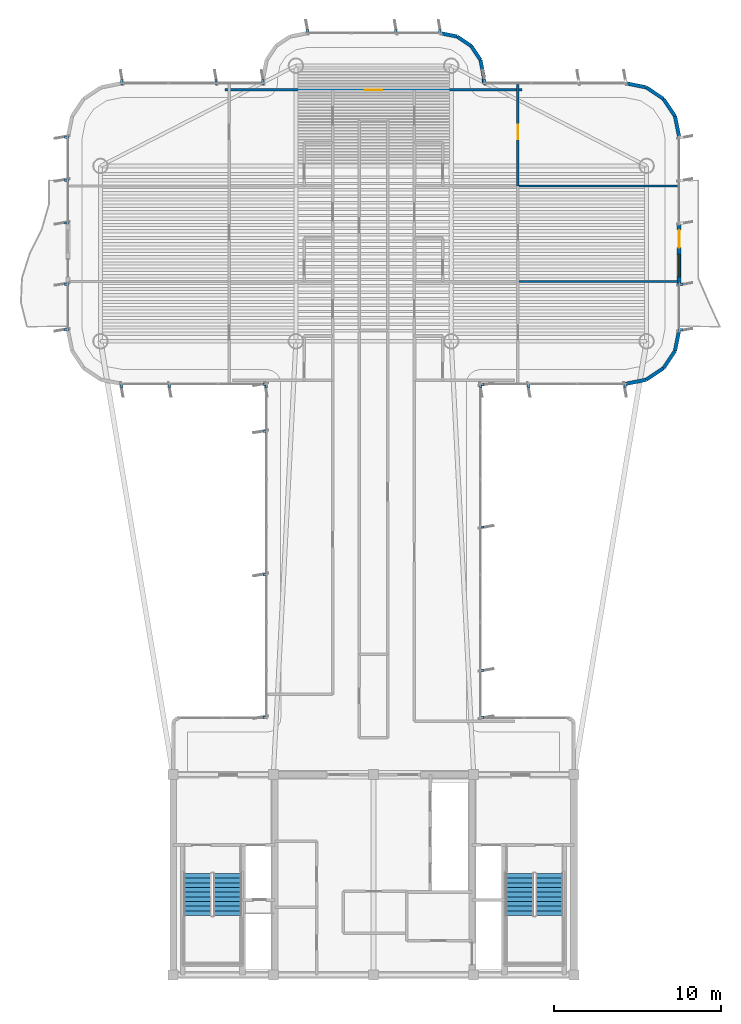
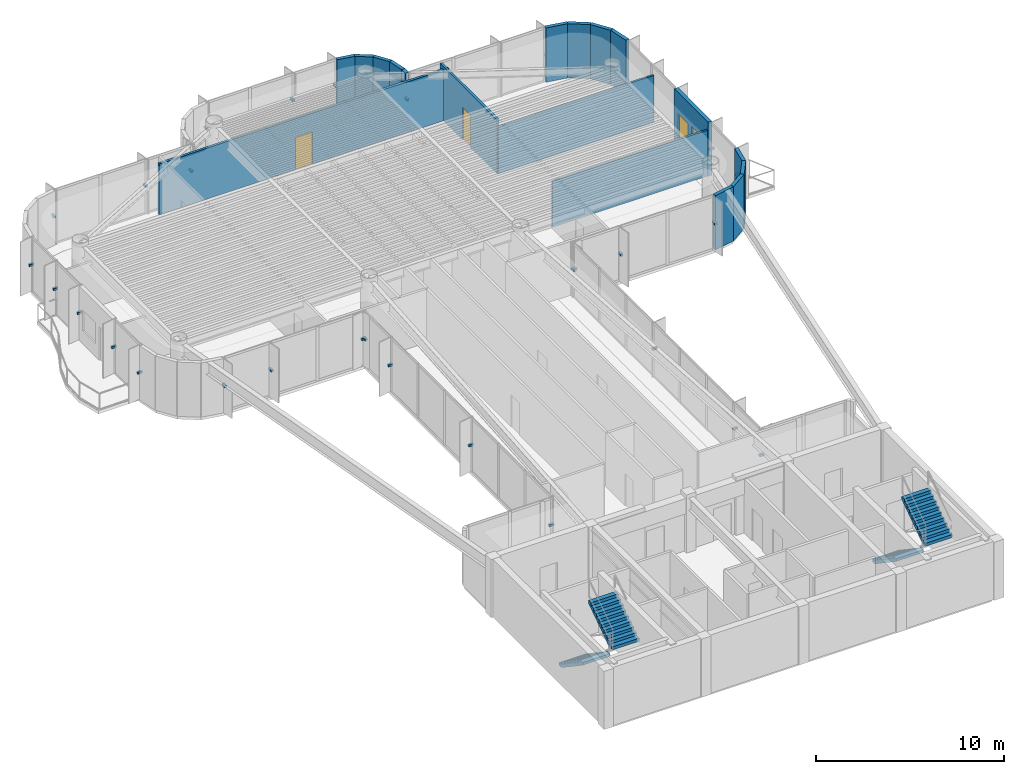
# One storey, part 13 of 16: 28 discrete accessories, 18 walls, 4 stair flights, 3 doors, 1 window, 4 openings, 2 elements without a shape of their own.
"""IFC4 building model written with IfcOpenShell, lengths in metres."""

from ifc_helpers import new_model, si_unit, direction, frame, frame_2d, origin, origin_2d, place, context, subcontext, project, spatial, polyline, rectangle, outline, extrude, source, transform, mapped, material, layer, layer_set, type_object, element, fill, aggregate, save


model = new_model("IFC4")

# Units and contexts
model_context = context("Model", 3, precision=1e-05, world=origin(), true_north=direction((0.0, 1.0)))
body_context = subcontext(model_context, "Body", "Model", "MODEL_VIEW")
ifc_project = project(units=[si_unit("LENGTHUNIT", "METRE"), si_unit("AREAUNIT", "SQUARE_METRE"), si_unit("VOLUMEUNIT", "CUBIC_METRE"), si_unit("PLANEANGLEUNIT", "RADIAN"), si_unit("MASSUNIT", "GRAM", prefix="KILO")], contexts=[model_context])

# Site, building, storey
site_placement = place(None, origin())
site = spatial("IfcSite", under=ifc_project, at=site_placement, CompositionType="ELEMENT")
building_placement = place(site_placement, origin())
building = spatial("IfcBuilding", under=site, at=building_placement, Name="Brelvock Crest Care Tower", CompositionType="ELEMENT")
storey_placement = place(building_placement, frame((0.0, 0.0, 238.139892578125)))
storey = spatial("IfcBuildingStorey", under=building, at=storey_placement, Name="L60", CompositionType="ELEMENT", Elevation=238.139892578125)

# Wall, openings, door, window
ifc_material_1 = material(Name="Precast concrete N40 (40 MPa)", Category="concrete")
ifc_layer_1 = layer(ifc_material_1, 0.239990234375, Name="WL-EX1")
ifc_layer_set_1 = layer_set([ifc_layer_1], Name="Precast concrete N40 (40 MPa)")
wall_type_1 = type_object("IfcWallType", Name="WL-EX1", PredefinedType="SOLIDWALL", material=ifc_layer_set_1)
wall_1_placement = place(storey_placement, frame((54.300048828125, 51.0, 0.0), z_axis=(0.0, 0.0, 1.0), x_axis=(0.0, -1.0, 0.0)))
wall_1 = element("IfcWall", 1, at=wall_1_placement, inside=storey, type_object=wall_type_1, Name="L60 Exterior Spandrel Wall WL-BAL-L60-E", PredefinedType="SOLIDWALL", context=body_context, shape_type="SweptSolid", body=[
    extrude(rectangle(XDim=3.60009765625, YDim=0.239990234375, at=frame_2d((1.800048828125, 0.0))), origin(), (0.0, 0.0, 1.0), 3.530029296875),
])
opening_1_placement = place(wall_1_placement, frame((0.39990234375, 0.0, 0.0)))
opening_1 = element("IfcOpeningElement", 2, at=opening_1_placement, cuts=wall_1, Name="Opening BD-1", PredefinedType="OPENING", context=body_context, shape_type="SweptSolid", body=[
    extrude(rectangle(XDim=1.050048828125, YDim=2.14990234375, at=origin_2d()), frame((0.52490234375, 0.1298828125, 1.074951171875), z_axis=(0.0, -1.0, 0.0), x_axis=(1.0, 0.0, 0.0)), (0.0, 0.0, 1.0), 0.260009765625),
])
opening_2_placement = place(wall_1_placement, frame((1.85009765625, 0.0, 0.85009765625)))
opening_2 = element("IfcOpeningElement", 3, at=opening_2_placement, cuts=wall_1, Name="Opening W-01", PredefinedType="OPENING", context=body_context, shape_type="SweptSolid", body=[
    extrude(rectangle(XDim=1.35009765625, YDim=1.35009765625, at=origin_2d()), frame((0.675048828125, 0.1298828125, 0.675048828125), z_axis=(0.0, -1.0, 0.0), x_axis=(1.0, 0.0, 0.0)), (0.0, 0.0, 1.0), 0.260009765625),
])
ifc_material_2 = material(Name="Dark Glass Double Glazed Low-E", Category="glass")
door_type_1 = type_object("IfcDoorType", Name="DR-BAL1", OperationType="NOTDEFINED", PredefinedType="DOOR", material=ifc_material_2)
shared_shape_1 = source(origin(), body_context, "Body", "SweptSolid", [
    extrude(rectangle(XDim=1.050048828125, YDim=2.14990234375, at=origin_2d()), frame((0.52490234375, 0.02490234375, 1.074951171875), z_axis=(0.0, -1.0, 0.0), x_axis=(1.0, 0.0, 0.0)), (0.0, 0.0, 1.0), 0.050048828125),
])
door_1_placement = place(opening_1_placement, origin())
door_1 = element("IfcDoor", 4, at=door_1_placement, inside=storey, type_object=door_type_1, Name="L60 E Wave Balcony Glazed Door", OperationType="SINGLE_SWING_RIGHT", OverallHeight=2.14990234375, OverallWidth=1.050048828125, PredefinedType="DOOR", context=body_context, shape_type="MappedRepresentation", body=[
    mapped(shared_shape_1, transform((0.0, 0.0, 0.0), x_axis=(1.0, 0.0, 0.0), y_axis=(0.0, 1.0, 0.0), z_axis=(0.0, 0.0, 1.0), scale=1.0)),
])
fill(opening_1, door_1)
window_type = type_object("IfcWindowType", Name="WN-EX1", PartitioningType="SINGLE_PANEL", PredefinedType="WINDOW", material=ifc_material_2)
shared_shape_2 = source(origin(), body_context, "Body", "SweptSolid", [
    extrude(rectangle(XDim=1.35009765625, YDim=1.35009765625, at=origin_2d()), frame((0.675048828125, 0.030029296875, 0.675048828125), z_axis=(0.0, -1.0, 0.0), x_axis=(1.0, 0.0, 0.0)), (0.0, 0.0, 1.0), 0.06005859375),
])
window_placement = place(opening_2_placement, origin())
window = element("IfcWindow", 5, at=window_placement, inside=storey, type_object=window_type, Name="L60 E Suite Casement Window", OverallHeight=1.35009765625, OverallWidth=1.35009765625, PartitioningType="SINGLE_PANEL", PredefinedType="WINDOW", context=body_context, shape_type="MappedRepresentation", body=[
    mapped(shared_shape_2, transform((0.0, 0.0, 0.0), x_axis=(1.0, 0.0, 0.0), y_axis=(0.0, 1.0, 0.0), z_axis=(0.0, 0.0, 1.0), scale=1.0)),
])
fill(opening_2, window)

# Walls
ifc_layer_2 = layer(ifc_material_1, 0.215087890625, Name="WL-EX2")
ifc_layer_set_2 = layer_set([ifc_layer_2], Name="Precast concrete N40 (40 MPa)")
wall_type_2 = type_object("IfcWallType", Name="WL-EX2", PredefinedType="SOLIDWALL", material=ifc_layer_set_2)
wall_2_placement = place(storey_placement, frame((40.0, 62.39990234375, 0.0), z_axis=(0.0, 0.0, 1.0), x_axis=(0.980820570666, -0.194912821943, 0.0)))
element("IfcWall", 6, at=wall_2_placement, inside=storey, type_object=wall_type_2, Name="L60 Rounded Corner Wall 29", PredefinedType="SOLIDWALL", context=body_context, shape_type="SweptSolid", body=[
    extrude(rectangle(XDim=1.0146484375, YDim=0.215087890625, at=frame_2d((0.50732421875, 0.0))), origin(), (0.0, 0.0, 1.0), 3.530029296875),
])
wall_3_placement = place(storey_placement, frame((40.9951171875, 62.2021484375, 0.0), z_axis=(0.0, 0.0, 1.0), x_axis=(0.831346067305, -0.555755086685, 0.0)))
element("IfcWall", 7, at=wall_3_placement, inside=storey, type_object=wall_type_2, Name="L60 Rounded Corner Wall 30", PredefinedType="SOLIDWALL", context=body_context, shape_type="SweptSolid", body=[
    extrude(rectangle(XDim=1.014404296875, YDim=0.215087890625, at=frame_2d((0.50732421875, 0.0))), origin(), (0.0, 0.0, 1.0), 3.530029296875),
])
wall_4_placement = place(storey_placement, frame((41.83837890625, 61.638427734375, 0.0), z_axis=(0.0, 0.0, 1.0), x_axis=(0.555643898837, -0.831420385657, 0.0)))
element("IfcWall", 8, at=wall_4_placement, inside=storey, type_object=wall_type_2, Name="L60 Rounded Corner Wall 31", PredefinedType="SOLIDWALL", context=body_context, shape_type="SweptSolid", body=[
    extrude(rectangle(XDim=1.0146484375, YDim=0.215087890625, at=frame_2d((0.50732421875, 0.0))), origin(), (0.0, 0.0, 1.0), 3.530029296875),
])
wall_5_placement = place(storey_placement, frame((42.402099609375, 60.794921875, 0.0), z_axis=(0.0, 0.0, 1.0), x_axis=(0.195190360752, -0.980765376158, 0.0)))
element("IfcWall", 9, at=wall_5_placement, inside=storey, type_object=wall_type_2, Name="L60 Rounded Corner Wall 32", PredefinedType="SOLIDWALL", context=body_context, shape_type="SweptSolid", body=[
    extrude(rectangle(XDim=1.014404296875, YDim=0.215087890625, at=frame_2d((0.50732421875, 0.0))), origin(), (0.0, 0.0, 1.0), 3.530029296875),
])
wall_6_placement = place(storey_placement, frame((42.60009765625, 59.800048828125, 0.0), z_axis=(0.0, 0.0, 1.0), x_axis=(0.0, -1.0, 0.0)))
element("IfcWall", 10, at=wall_6_placement, inside=storey, type_object=wall_type_2, Name="L60 Rounded Corner Wall 33", PredefinedType="SOLIDWALL", context=body_context, shape_type="SweptSolid", body=[
    extrude(rectangle(XDim=0.400146484375, YDim=0.215087890625, at=frame_2d((0.2001953125, 0.0))), origin(), (0.0, 0.0, 1.0), 3.530029296875),
])
for number, where, z_axis, x_axis, name in (
    (11, (51.10009765625, 59.39990234375, 0.0), (0.0, 0.0, 1.0), (0.980813122964, -0.194950295773, 0.0), "L60 Rounded Corner Wall 35"),
    (12, (52.32470703125, 59.156494140625, 0.0), (0.0, 0.0, 1.0), (0.831387912822, -0.555692485475, 0.0), "L60 Rounded Corner Wall 36"),
    (13, (53.36279296875, 58.462646484375, 0.0), (0.0, 0.0, 1.0), (0.555557312883, -0.831478245117, 0.0), "L60 Rounded Corner Wall 37"),
    (14, (54.056396484375, 57.424560546875, 0.0), (0.0, 0.0, 1.0), (0.195138390419, -0.980775717779, 0.0), "L60 Rounded Corner Wall 38"),
    (15, (54.300048828125, 44.60009765625, 0.0), (0.0, 0.0, 1.0), (-0.195138390419, -0.980775717779, 0.0), "L60 Rounded Corner Wall 40"),
    (16, (54.056396484375, 43.37548828125, 0.0), (0.0, 0.0, 1.0), (-0.555557312883, -0.831478245117, 0.0), "L60 Rounded Corner Wall 41"),
    (17, (53.36279296875, 42.33740234375, 0.0), (0.0, 0.0, 1.0), (-0.831387912822, -0.555692485475, 0.0), "L60 Rounded Corner Wall 42"),
    (18, (52.32470703125, 41.6435546875, 0.0), (0.0, 0.0, 1.0), (-0.980775717779, -0.195138390419, 0.0), "L60 Rounded Corner Wall 43"),
):
    element("IfcWall", number, at=place(storey_placement, frame(where, z_axis=z_axis, x_axis=x_axis)), inside=storey, type_object=wall_type_2, Name=name, PredefinedType="SOLIDWALL", context=body_context, shape_type="SweptSolid", body=[
        extrude(rectangle(XDim=1.24853515625, YDim=0.215087890625, at=frame_2d((0.624267578125, 0.0))), origin(), (0.0, 0.0, 1.0), 3.530029296875),
    ])

# Wall, opening, door
ifc_material_3 = material(Name="Masonry Blockwork Acoustic Partition", Category="masonry")
ifc_layer_3 = layer(ifc_material_3, 0.14990234375, Name="WL-INT1")
ifc_layer_set_3 = layer_set([ifc_layer_3], Name="Masonry Blockwork Acoustic Partition")
wall_type_3 = type_object("IfcWallType", Name="WL-INT1", PredefinedType="PARTITIONING", material=ifc_layer_set_3)
wall_7_placement = place(storey_placement, frame((27.10009765625, 59.0, 0.0), z_axis=(0.0, 0.0, 1.0), x_axis=(1.0, 0.0, 0.0)))
wall_7 = element("IfcWall", 19, at=wall_7_placement, inside=storey, type_object=wall_type_3, Name="L60 Interior Wall WL-RM-L60-NHUB", PredefinedType="PARTITIONING", context=body_context, shape_type="SweptSolid", body=[
    extrude(rectangle(XDim=17.7998046875, YDim=0.14990234375, at=frame_2d((8.89990234375, 0.0))), origin(), (0.0, 0.0, 1.0), 3.30810546875),
])
opening_3_placement = place(wall_7_placement, frame((8.375, 0.0, 0.0)))
opening_3 = element("IfcOpeningElement", 20, at=opening_3_placement, cuts=wall_7, Name="Opening CLD-1", PredefinedType="OPENING", context=body_context, shape_type="SweptSolid", body=[
    extrude(rectangle(XDim=1.050048828125, YDim=2.10009765625, at=origin_2d()), frame((0.52490234375, 0.0849609375, 1.050048828125), z_axis=(0.0, -1.0, 0.0), x_axis=(1.0, 0.0, 0.0)), (0.0, 0.0, 1.0), 0.169921875),
])
ifc_material_4 = material(Name="Engineered Hardwood Timber", Category="wood")
door_type_2 = type_object("IfcDoorType", Name="DR-CLN1", OperationType="NOTDEFINED", PredefinedType="DOOR", material=ifc_material_4)
shared_shape_3 = source(origin(), body_context, "Body", "SweptSolid", [
    extrude(rectangle(XDim=1.050048828125, YDim=2.10009765625, at=origin_2d()), frame((0.52490234375, 0.02490234375, 1.050048828125), z_axis=(0.0, -1.0, 0.0), x_axis=(1.0, 0.0, 0.0)), (0.0, 0.0, 1.0), 0.050048828125),
])
door_2_placement = place(opening_3_placement, origin())
door_2 = element("IfcDoor", 21, at=door_2_placement, inside=storey, type_object=door_type_2, Name="L60 Harbour Lookout Dining Salon Door NHUB", OperationType="SINGLE_SWING_LEFT", OverallHeight=2.10009765625, OverallWidth=1.050048828125, PredefinedType="DOOR", context=body_context, shape_type="MappedRepresentation", body=[
    mapped(shared_shape_3, transform((0.0, 0.0, 0.0), x_axis=(1.0, 0.0, 0.0), y_axis=(0.0, 1.0, 0.0), z_axis=(0.0, 0.0, 1.0), scale=1.0)),
])
fill(opening_3, door_2)

wall_8_placement = place(storey_placement, frame((44.64990234375, 53.258056640625, 0.0), z_axis=(0.0, 0.0, 1.0), x_axis=(0.0, 1.0, 0.0)))
wall_8 = element("IfcWall", 22, at=wall_8_placement, inside=storey, type_object=wall_type_3, Name="L60 Interior Wall WL-RM-L60-ES3S", PredefinedType="PARTITIONING", context=body_context, shape_type="SweptSolid", body=[
    extrude(rectangle(XDim=6.064453125, YDim=0.14990234375, at=frame_2d((3.0322265625, 0.0))), origin(), (0.0, 0.0, 1.0), 3.5),
])
opening_4_placement = place(wall_8_placement, frame((2.781982421875, 0.0, 0.0)))
opening_4 = element("IfcOpeningElement", 23, at=opening_4_placement, cuts=wall_8, Name="Opening ID-1", PredefinedType="OPENING", context=body_context, shape_type="SweptSolid", body=[
    extrude(rectangle(XDim=0.860107421875, YDim=2.10009765625, at=origin_2d()), frame((0.43017578125, 0.0849609375, 1.050048828125), z_axis=(0.0, -1.0, 0.0), x_axis=(1.0, 0.0, 0.0)), (0.0, 0.0, 1.0), 0.169921875),
])
door_type_3 = type_object("IfcDoorType", Name="DR-INT1", OperationType="NOTDEFINED", PredefinedType="DOOR", material=ifc_material_4)
shared_shape_4 = source(origin(), body_context, "Body", "SweptSolid", [
    extrude(rectangle(XDim=0.860107421875, YDim=2.10009765625, at=origin_2d()), frame((0.43017578125, 0.02490234375, 1.050048828125), z_axis=(0.0, -1.0, 0.0), x_axis=(1.0, 0.0, 0.0)), (0.0, 0.0, 1.0), 0.050048828125),
])
door_3_placement = place(opening_4_placement, origin())
door_3 = element("IfcDoor", 24, at=door_3_placement, inside=storey, type_object=door_type_3, Name="L60 Assisted Care Mobility Store Door ES3S", OperationType="SINGLE_SWING_LEFT", OverallHeight=2.10009765625, OverallWidth=0.860107421875, PredefinedType="DOOR", context=body_context, shape_type="MappedRepresentation", body=[
    mapped(shared_shape_4, transform((0.0, 0.0, 0.0), x_axis=(1.0, 0.0, 0.0), y_axis=(0.0, 1.0, 0.0), z_axis=(0.0, 0.0, 1.0), scale=1.0)),
])
fill(opening_4, door_3)

# Walls
ifc_material_5 = material(Name="Gypsum Plasterboard Partition", Category="gypsum")
ifc_layer_4 = layer(ifc_material_5, 0.1201171875, Name="WL-INT2")
ifc_layer_set_4 = layer_set([ifc_layer_4], Name="Gypsum Plasterboard Partition")
wall_type_4 = type_object("IfcWallType", Name="WL-INT2", PredefinedType="PARTITIONING", material=ifc_layer_set_4)
wall_9_placement = place(storey_placement, frame((44.64990234375, 47.51611328125, 0.0), z_axis=(0.0, 0.0, 1.0), x_axis=(1.0, 0.0, 0.0)))
element("IfcWall", 25, at=wall_9_placement, inside=storey, type_object=wall_type_4, Name="L60 Interior Wall WL-BX-L60-ES1S-N", PredefinedType="PARTITIONING", context=body_context, shape_type="SweptSolid", body=[
    extrude(rectangle(XDim=9.570068359375, YDim=0.1201171875, at=frame_2d((4.78515625, 0.0))), origin(), (0.0, 0.0, 1.0), 2.982177734375),
])
wall_10_placement = place(storey_placement, frame((44.64990234375, 53.258056640625, 0.0), z_axis=(0.0, 0.0, 1.0), x_axis=(1.0, 0.0, 0.0)))
element("IfcWall", 26, at=wall_10_placement, inside=storey, type_object=wall_type_4, Name="L60 Interior Wall WL-BX-L60-ES2S-N", PredefinedType="PARTITIONING", context=body_context, shape_type="SweptSolid", body=[
    extrude(rectangle(XDim=9.570068359375, YDim=0.1201171875, at=frame_2d((4.78515625, 0.0))), origin(), (0.0, 0.0, 1.0), 3.05517578125),
])

# Stair, stair flights
ifc_material_6 = material(Name="Concrete N40 (40 MPa)", Category="concrete")
stair_type = type_object("IfcStairType", Name="ST-CORE1", PredefinedType="HALF_TURN_STAIR", material=ifc_material_6)
stair_1_placement = place(storey_placement, origin())
stair_1 = element("IfcStair", 27, at=stair_1_placement, inside=storey, type_object=stair_type, Name="L60 Fire-Isolated Core Stair ST-1", PredefinedType="HALF_TURN_STAIR")
stair_flight_type = type_object("IfcStairFlightType", Name="STF-1", PredefinedType="STRAIGHT", material=ifc_material_6)
stair_flight_1_placement = place(storey_placement, frame((25.469970703125, 12.080078125, 0.0), z_axis=(0.0, 0.0, 1.0), x_axis=(0.0, -1.0, 0.0)))
stair_flight_1 = element("IfcStairFlight", 28, at=stair_flight_1_placement, type_object=stair_flight_type, Name="ST-1 flight 1", NumberOfRisers=10, NumberOfTreads=9, PredefinedType="STRAIGHT", RiserHeight=0.189, TreadLength=0.28, context=body_context, shape_type="SweptSolid", body=[
    extrude(outline(polyline([(-0.00390625, -0.014892578125), (-0.00390625, -0.0078125), (-0.00390625, -0.00048828125), (-0.00390625, 0.0068359375), (-0.00390625, 0.01416015625), (-0.00390625, 0.021484375), (-0.00390625, 0.02880859375), (-0.00390625, 0.035888671875), (-0.00390625, 0.043212890625), (-0.00390625, 0.050537109375), (-0.00390625, 0.057861328125), (-0.00390625, 0.065185546875), (-0.00390625, 0.072509765625), (-0.00390625, 0.07958984375), (-0.00390625, 0.0869140625), (-0.00390625, 0.09423828125), (-0.00390625, 0.1015625), (-0.00390625, 0.10888671875), (-0.00390625, 0.1162109375), (-0.00390625, 0.12353515625), (-0.00390625, 0.130615234375), (-0.00390625, 0.137939453125), (-0.00390625, 0.145263671875), (-0.00390625, 0.152587890625), (-0.00390625, 0.159912109375), (-0.00390625, 0.167236328125), (-0.00390625, 0.17431640625), (-0.00390625, 0.181640625), (-0.00390625, 0.18896484375), (0.0, 0.18896484375), (0.280029296875, 0.18896484375), (0.280029296875, 0.3779296875), (0.56005859375, 0.3779296875), (0.56005859375, 0.56689453125), (0.840087890625, 0.56689453125), (0.840087890625, 0.756103515625), (1.1201171875, 0.756103515625), (1.1201171875, 0.945068359375), (1.39990234375, 0.945068359375), (1.39990234375, 1.134033203125), (1.679931640625, 1.134033203125), (1.679931640625, 1.322998046875), (1.9599609375, 1.322998046875), (1.9599609375, 1.511962890625), (2.239990234375, 1.511962890625), (2.239990234375, 1.700927734375), (2.52001953125, 1.700927734375), (2.52392578125, 1.700927734375), (2.523681640625, 1.70068359375), (2.52392578125, 1.700439453125), (2.523681640625, 1.699951171875), (2.52392578125, 1.69970703125), (2.523681640625, 1.699462890625), (2.52392578125, 1.698974609375), (2.523681640625, 1.69873046875), (2.52392578125, 1.698486328125), (2.523681640625, 1.697998046875), (2.52392578125, 1.69775390625), (2.523681640625, 1.697509765625), (2.52392578125, 1.697021484375), (2.523681640625, 1.69677734375), (2.52392578125, 1.696533203125), (2.523681640625, 1.6962890625), (2.52392578125, 1.69580078125), (2.523681640625, 1.695556640625), (2.52392578125, 1.6953125), (2.523681640625, 1.69482421875), (2.52392578125, 1.694580078125), (2.523681640625, 1.6943359375), (2.52392578125, 1.69384765625), (2.523681640625, 1.693603515625), (2.52392578125, 1.693359375), (2.523681640625, 1.69287109375), (2.52392578125, 1.692626953125), (2.523681640625, 1.6923828125), (2.52392578125, 1.69189453125), (2.52001953125, 1.520263671875), (0.267822265625, 0.0), (0.0, 0.0), (0.0, -0.014892578125), (-0.00390625, -0.014892578125)])), frame((0.0, 0.83984375, 0.0), z_axis=(0.0, -1.0, 0.0), x_axis=(1.0, 0.0, 0.0)), (0.0, 0.0, 1.0), 1.679931640625),
])
stair_flight_2_placement = place(storey_placement, frame((27.27001953125, 9.56005859375, 1.89013671875), z_axis=(0.0, 0.0, 1.0), x_axis=(0.0, 1.0, 0.0)))
stair_flight_2 = element("IfcStairFlight", 29, at=stair_flight_2_placement, type_object=stair_flight_type, Name="ST-1 flight 2", NumberOfRisers=10, NumberOfTreads=9, PredefinedType="STRAIGHT", RiserHeight=0.189, TreadLength=0.28, context=body_context, shape_type="SweptSolid", body=[
    extrude(outline(polyline([(-0.00390625, -0.014892578125), (-0.00390625, -0.0078125), (-0.00390625, -0.00048828125), (-0.00390625, 0.0068359375), (-0.00390625, 0.01416015625), (-0.00390625, 0.021484375), (-0.00390625, 0.02880859375), (-0.00390625, 0.035888671875), (-0.00390625, 0.043212890625), (-0.00390625, 0.050537109375), (-0.00390625, 0.057861328125), (-0.00390625, 0.065185546875), (-0.00390625, 0.072509765625), (-0.00390625, 0.07958984375), (-0.00390625, 0.0869140625), (-0.00390625, 0.09423828125), (-0.00390625, 0.1015625), (-0.00390625, 0.10888671875), (-0.00390625, 0.1162109375), (-0.00390625, 0.12353515625), (-0.00390625, 0.130615234375), (-0.00390625, 0.137939453125), (-0.00390625, 0.145263671875), (-0.00390625, 0.152587890625), (-0.00390625, 0.159912109375), (-0.00390625, 0.167236328125), (-0.00390625, 0.17431640625), (-0.00390625, 0.181640625), (-0.00390625, 0.18896484375), (0.0, 0.18896484375), (0.280029296875, 0.18896484375), (0.280029296875, 0.3779296875), (0.56005859375, 0.3779296875), (0.56005859375, 0.56689453125), (0.840087890625, 0.56689453125), (0.840087890625, 0.756103515625), (1.1201171875, 0.756103515625), (1.1201171875, 0.945068359375), (1.39990234375, 0.945068359375), (1.39990234375, 1.134033203125), (1.679931640625, 1.134033203125), (1.679931640625, 1.322998046875), (1.9599609375, 1.322998046875), (1.9599609375, 1.511962890625), (2.239990234375, 1.511962890625), (2.239990234375, 1.700927734375), (2.52001953125, 1.700927734375), (2.52392578125, 1.700927734375), (2.523681640625, 1.70068359375), (2.52392578125, 1.700439453125), (2.523681640625, 1.699951171875), (2.52392578125, 1.69970703125), (2.523681640625, 1.699462890625), (2.52392578125, 1.698974609375), (2.523681640625, 1.69873046875), (2.52392578125, 1.698486328125), (2.523681640625, 1.697998046875), (2.52392578125, 1.69775390625), (2.523681640625, 1.697509765625), (2.52392578125, 1.697021484375), (2.523681640625, 1.69677734375), (2.52392578125, 1.696533203125), (2.523681640625, 1.6962890625), (2.52392578125, 1.69580078125), (2.523681640625, 1.695556640625), (2.52392578125, 1.6953125), (2.523681640625, 1.69482421875), (2.52392578125, 1.694580078125), (2.523681640625, 1.6943359375), (2.52392578125, 1.69384765625), (2.523681640625, 1.693603515625), (2.52392578125, 1.693359375), (2.523681640625, 1.69287109375), (2.52392578125, 1.692626953125), (2.523681640625, 1.6923828125), (2.52392578125, 1.69189453125), (2.52001953125, 1.520263671875), (0.267822265625, 0.0), (0.0, 0.0), (0.0, -0.014892578125), (-0.00390625, -0.014892578125)])), frame((0.0, 0.83984375, 0.0), z_axis=(0.0, -1.0, 0.0), x_axis=(1.0, 0.0, 0.0)), (0.0, 0.0, 1.0), 1.679931640625),
])
aggregate(stair_1, [stair_flight_1, stair_flight_2])

stair_2_placement = place(storey_placement, origin())
stair_2 = element("IfcStair", 30, at=stair_2_placement, inside=storey, type_object=stair_type, Name="L60 Fire-Isolated Core Stair ST-2", PredefinedType="HALF_TURN_STAIR")
stair_flight_3_placement = place(storey_placement, frame((44.72998046875, 12.080078125, 0.0), z_axis=(0.0, 0.0, 1.0), x_axis=(0.0, -1.0, 0.0)))
stair_flight_3 = element("IfcStairFlight", 31, at=stair_flight_3_placement, type_object=stair_flight_type, Name="ST-2 flight 1", NumberOfRisers=10, NumberOfTreads=9, PredefinedType="STRAIGHT", RiserHeight=0.189, TreadLength=0.28, context=body_context, shape_type="SweptSolid", body=[
    extrude(outline(polyline([(-0.00390625, -0.014892578125), (-0.00390625, -0.0078125), (-0.00390625, -0.00048828125), (-0.00390625, 0.0068359375), (-0.00390625, 0.01416015625), (-0.00390625, 0.021484375), (-0.00390625, 0.02880859375), (-0.00390625, 0.035888671875), (-0.00390625, 0.043212890625), (-0.00390625, 0.050537109375), (-0.00390625, 0.057861328125), (-0.00390625, 0.065185546875), (-0.00390625, 0.072509765625), (-0.00390625, 0.07958984375), (-0.00390625, 0.0869140625), (-0.00390625, 0.09423828125), (-0.00390625, 0.1015625), (-0.00390625, 0.10888671875), (-0.00390625, 0.1162109375), (-0.00390625, 0.12353515625), (-0.00390625, 0.130615234375), (-0.00390625, 0.137939453125), (-0.00390625, 0.145263671875), (-0.00390625, 0.152587890625), (-0.00390625, 0.159912109375), (-0.00390625, 0.167236328125), (-0.00390625, 0.17431640625), (-0.00390625, 0.181640625), (-0.00390625, 0.18896484375), (0.0, 0.18896484375), (0.280029296875, 0.18896484375), (0.280029296875, 0.3779296875), (0.56005859375, 0.3779296875), (0.56005859375, 0.56689453125), (0.840087890625, 0.56689453125), (0.840087890625, 0.756103515625), (1.1201171875, 0.756103515625), (1.1201171875, 0.945068359375), (1.39990234375, 0.945068359375), (1.39990234375, 1.134033203125), (1.679931640625, 1.134033203125), (1.679931640625, 1.322998046875), (1.9599609375, 1.322998046875), (1.9599609375, 1.511962890625), (2.239990234375, 1.511962890625), (2.239990234375, 1.700927734375), (2.52001953125, 1.700927734375), (2.52392578125, 1.700927734375), (2.523681640625, 1.70068359375), (2.52392578125, 1.700439453125), (2.523681640625, 1.699951171875), (2.52392578125, 1.69970703125), (2.523681640625, 1.699462890625), (2.52392578125, 1.698974609375), (2.523681640625, 1.69873046875), (2.52392578125, 1.698486328125), (2.523681640625, 1.697998046875), (2.52392578125, 1.69775390625), (2.523681640625, 1.697509765625), (2.52392578125, 1.697021484375), (2.523681640625, 1.69677734375), (2.52392578125, 1.696533203125), (2.523681640625, 1.6962890625), (2.52392578125, 1.69580078125), (2.523681640625, 1.695556640625), (2.52392578125, 1.6953125), (2.523681640625, 1.69482421875), (2.52392578125, 1.694580078125), (2.523681640625, 1.6943359375), (2.52392578125, 1.69384765625), (2.523681640625, 1.693603515625), (2.52392578125, 1.693359375), (2.523681640625, 1.69287109375), (2.52392578125, 1.692626953125), (2.523681640625, 1.6923828125), (2.52392578125, 1.69189453125), (2.52001953125, 1.520263671875), (0.267822265625, 0.0), (0.0, 0.0), (0.0, -0.014892578125), (-0.00390625, -0.014892578125)])), frame((0.0, 0.83984375, 0.0), z_axis=(0.0, -1.0, 0.0), x_axis=(1.0, 0.0, 0.0)), (0.0, 0.0, 1.0), 1.679931640625),
])
stair_flight_4_placement = place(storey_placement, frame((46.530029296875, 9.56005859375, 1.89013671875), z_axis=(0.0, 0.0, 1.0), x_axis=(0.0, 1.0, 0.0)))
stair_flight_4 = element("IfcStairFlight", 32, at=stair_flight_4_placement, type_object=stair_flight_type, Name="ST-2 flight 2", NumberOfRisers=10, NumberOfTreads=9, PredefinedType="STRAIGHT", RiserHeight=0.189, TreadLength=0.28, context=body_context, shape_type="SweptSolid", body=[
    extrude(outline(polyline([(-0.00390625, -0.014892578125), (-0.00390625, -0.0078125), (-0.00390625, -0.00048828125), (-0.00390625, 0.0068359375), (-0.00390625, 0.01416015625), (-0.00390625, 0.021484375), (-0.00390625, 0.02880859375), (-0.00390625, 0.035888671875), (-0.00390625, 0.043212890625), (-0.00390625, 0.050537109375), (-0.00390625, 0.057861328125), (-0.00390625, 0.065185546875), (-0.00390625, 0.072509765625), (-0.00390625, 0.07958984375), (-0.00390625, 0.0869140625), (-0.00390625, 0.09423828125), (-0.00390625, 0.1015625), (-0.00390625, 0.10888671875), (-0.00390625, 0.1162109375), (-0.00390625, 0.12353515625), (-0.00390625, 0.130615234375), (-0.00390625, 0.137939453125), (-0.00390625, 0.145263671875), (-0.00390625, 0.152587890625), (-0.00390625, 0.159912109375), (-0.00390625, 0.167236328125), (-0.00390625, 0.17431640625), (-0.00390625, 0.181640625), (-0.00390625, 0.18896484375), (0.0, 0.18896484375), (0.280029296875, 0.18896484375), (0.280029296875, 0.3779296875), (0.56005859375, 0.3779296875), (0.56005859375, 0.56689453125), (0.840087890625, 0.56689453125), (0.840087890625, 0.756103515625), (1.1201171875, 0.756103515625), (1.1201171875, 0.945068359375), (1.39990234375, 0.945068359375), (1.39990234375, 1.134033203125), (1.679931640625, 1.134033203125), (1.679931640625, 1.322998046875), (1.9599609375, 1.322998046875), (1.9599609375, 1.511962890625), (2.239990234375, 1.511962890625), (2.239990234375, 1.700927734375), (2.52001953125, 1.700927734375), (2.52392578125, 1.700927734375), (2.523681640625, 1.70068359375), (2.52392578125, 1.700439453125), (2.523681640625, 1.699951171875), (2.52392578125, 1.69970703125), (2.523681640625, 1.699462890625), (2.52392578125, 1.698974609375), (2.523681640625, 1.69873046875), (2.52392578125, 1.698486328125), (2.523681640625, 1.697998046875), (2.52392578125, 1.69775390625), (2.523681640625, 1.697509765625), (2.52392578125, 1.697021484375), (2.523681640625, 1.69677734375), (2.52392578125, 1.696533203125), (2.523681640625, 1.6962890625), (2.52392578125, 1.69580078125), (2.523681640625, 1.695556640625), (2.52392578125, 1.6953125), (2.523681640625, 1.69482421875), (2.52392578125, 1.694580078125), (2.523681640625, 1.6943359375), (2.52392578125, 1.69384765625), (2.523681640625, 1.693603515625), (2.52392578125, 1.693359375), (2.523681640625, 1.69287109375), (2.52392578125, 1.692626953125), (2.523681640625, 1.6923828125), (2.52392578125, 1.69189453125), (2.52001953125, 1.520263671875), (0.267822265625, 0.0), (0.0, 0.0), (0.0, -0.014892578125), (-0.00390625, -0.014892578125)])), frame((0.0, 0.83984375, 0.0), z_axis=(0.0, -1.0, 0.0), x_axis=(1.0, 0.0, 0.0)), (0.0, 0.0, 1.0), 1.679931640625),
])
aggregate(stair_2, [stair_flight_3, stair_flight_4])

# Discrete accessories
ifc_material_7 = material(Name="Steel Grade 350", Category="steel")
discrete_accessory_type = type_object("IfcDiscreteAccessoryType", Name="ACC-BRK1", PredefinedType="BRACKET", material=ifc_material_7)
shared_shape_5 = source(origin(), body_context, "Body", "SweptSolid", [
    extrude(rectangle(XDim=0.280029296875, YDim=0.139892578125, at=origin_2d()), origin(), (0.0, 0.0, 1.0), 0.139892578125),
])
for number, where, z_axis, x_axis, name in (
    (33, (29.52001953125, 21.429931640625, 1.6953125), (0.0, 0.0, 1.0), (-1.0, 0.0, 0.0), "L60 Facade Fin Bracket E11-01"),
    (34, (29.52001953125, 29.971435546875, 1.6953125), (0.0, 0.0, 1.0), (-1.0, 0.0, 0.0), "L60 Facade Fin Bracket E11-04"),
    (35, (29.52001953125, 38.54296875, 1.6953125), (0.0, 0.0, 1.0), (-1.0, 0.0, 0.0), "L60 Facade Fin Bracket E11-07"),
    (36, (29.52001953125, 41.3701171875, 1.6953125), (0.0, 0.0, 1.0), (-1.0, 0.0, 0.0), "L60 Facade Fin Bracket E11-08"),
    (37, (29.570068359375, 41.320068359375, 1.6953125), (0.0, 0.0, 1.0), (0.0, -1.0, 0.0), "L60 Facade Fin Bracket E12-01"),
    (38, (23.800048828125, 41.320068359375, 1.6953125), (0.0, 0.0, 1.0), (0.0, -1.0, 0.0), "L60 Facade Fin Bracket E12-03"),
    (39, (20.929931640625, 41.320068359375, 1.6953125), (0.0, 0.0, 1.0), (0.0, -1.0, 0.0), "L60 Facade Fin Bracket E12-04"),
    (40, (17.6201171875, 44.6298828125, 1.6953125), (0.0, 0.0, 1.0), (-1.0, 0.0, 0.0), "L60 Facade Fin Bracket E17A-01"),
    (41, (17.6201171875, 47.3701171875, 1.6953125), (0.0, 0.0, 1.0), (-1.0, 0.0, 0.0), "L60 Facade Fin Bracket E17A-02"),
    (42, (17.6201171875, 51.030029296875, 1.6953125), (0.0, 0.0, 1.0), (-1.0, 0.0, 0.0), "L60 Facade Fin Bracket E17B-01"),
    (43, (17.6201171875, 53.60009765625, 1.6953125), (0.0, 0.0, 1.0), (-1.0, 0.0, 0.0), "L60 Facade Fin Bracket E17B-02"),
    (44, (17.6201171875, 56.169921875, 1.6953125), (0.0, 0.0, 1.0), (-1.0, 0.0, 0.0), "L60 Facade Fin Bracket E17B-03"),
    (45, (20.929931640625, 59.47998046875, 1.6953125), (0.0, 0.0, 1.0), (0.0, 1.0, 0.0), "L60 Facade Fin Bracket E22-01"),
    (46, (26.566650390625, 59.47998046875, 1.6953125), (0.0, 0.0, 1.0), (0.0, 1.0, 0.0), "L60 Facade Fin Bracket E22-03"),
    (47, (29.3701171875, 59.47998046875, 1.6953125), (0.0, 0.0, 1.0), (0.0, 1.0, 0.0), "L60 Facade Fin Bracket E22-04"),
    (48, (32.030029296875, 62.47998046875, 1.6953125), (0.0, 0.0, 1.0), (0.0, 1.0, 0.0), "L60 Facade Fin Bracket E28-01"),
    (49, (37.333251953125, 62.47998046875, 1.6953125), (0.0, 0.0, 1.0), (0.0, 1.0, 0.0), "L60 Facade Fin Bracket E28-03"),
    (50, (39.969970703125, 62.47998046875, 1.6953125), (0.0, 0.0, 1.0), (0.0, 1.0, 0.0), "L60 Facade Fin Bracket E28-04"),
    (51, (42.6298828125, 59.47998046875, 1.6953125), (0.0, 0.0, 1.0), (0.0, 1.0, 0.0), "L60 Facade Fin Bracket E34-01"),
    (52, (54.3798828125, 47.3701171875, 1.6953125), (0.0, 0.0, 1.0), (1.0, 0.0, 0.0), "L60 Facade Fin Bracket E39B-01"),
    (53, (54.3798828125, 44.6298828125, 1.6953125), (0.0, 0.0, 1.0), (1.0, 0.0, 0.0), "L60 Facade Fin Bracket E39B-02"),
    (54, (51.070068359375, 41.320068359375, 1.6953125), (0.0, 0.0, 1.0), (0.0, -1.0, 0.0), "L60 Facade Fin Bracket E44-01"),
    (55, (45.300048828125, 41.320068359375, 1.6953125), (0.0, 0.0, 1.0), (0.0, -1.0, 0.0), "L60 Facade Fin Bracket E44-03"),
    (56, (42.429931640625, 41.320068359375, 1.6953125), (0.0, 0.0, 1.0), (0.0, -1.0, 0.0), "L60 Facade Fin Bracket E44-04"),
    (57, (42.47998046875, 41.3701171875, 1.6953125), (0.0, 0.0, 1.0), (1.0, 0.0, 0.0), "L60 Facade Fin Bracket E45-01"),
    (58, (42.47998046875, 32.82861328125, 1.6953125), (0.0, 0.0, 1.0), (1.0, 0.0, 0.0), "L60 Facade Fin Bracket E45-04"),
    (59, (42.47998046875, 24.257080078125, 1.6953125), (0.0, 0.0, 1.0), (1.0, 0.0, 0.0), "L60 Facade Fin Bracket E45-07"),
    (60, (42.47998046875, 21.429931640625, 1.6953125), (0.0, 0.0, 1.0), (1.0, 0.0, 0.0), "L60 Facade Fin Bracket E45-08"),
):
    element("IfcDiscreteAccessory", number, at=place(storey_placement, frame(where, z_axis=z_axis, x_axis=x_axis)), inside=storey, type_object=discrete_accessory_type, Name=name, PredefinedType="BRACKET", context=body_context, shape_type="MappedRepresentation", body=[
        mapped(shared_shape_5, transform((0.0, 0.0, 0.0), x_axis=(1.0, 0.0, 0.0), y_axis=(0.0, 1.0, 0.0), z_axis=(0.0, 0.0, 1.0), scale=1.0)),
    ])

save(model, "model.ifc")
